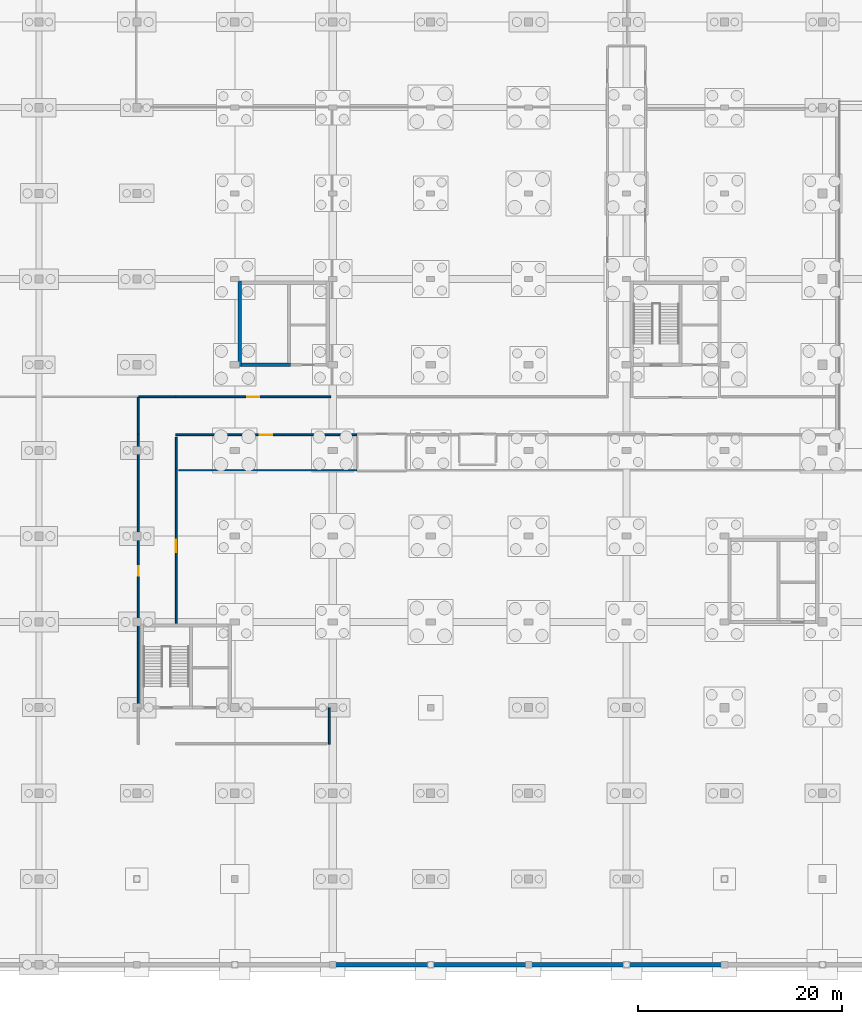
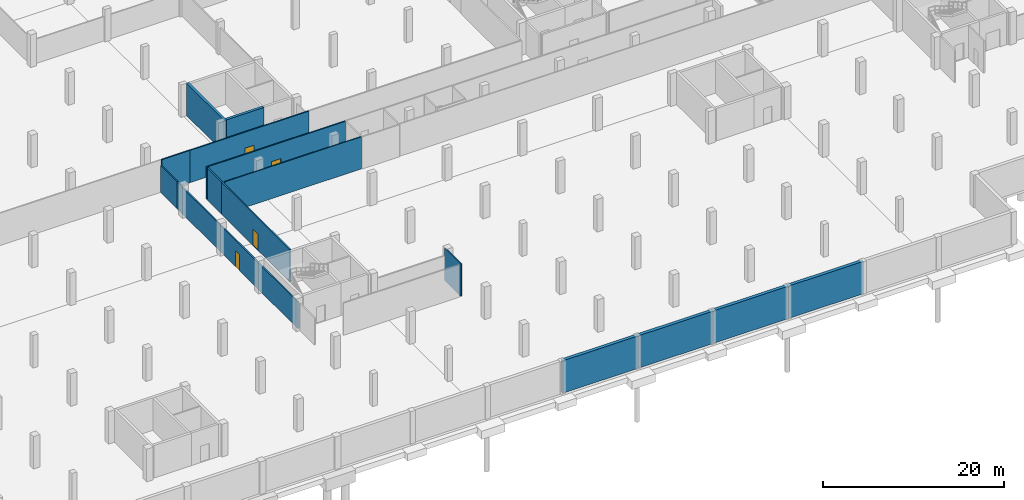
# One storey, part 18 of 26: 15 walls, 4 doors, 4 openings.
"""IFC4 building model written with IfcOpenShell, lengths in metres."""

from ifc_helpers import new_model, si_unit, direction, frame, frame_2d, origin, place, context, subcontext, project, spatial, rectangle, extrude, material, layer, layer_set, type_object, element, fill, save


model = new_model("IFC4")

# Units and contexts
model_context = context("Model", 3, precision=1e-05, world=origin(), true_north=direction((0.0, 1.0)))
body_context = subcontext(model_context, "Body", "Model", "MODEL_VIEW")
ifc_project = project(units=[si_unit("LENGTHUNIT", "METRE"), si_unit("AREAUNIT", "SQUARE_METRE"), si_unit("VOLUMEUNIT", "CUBIC_METRE"), si_unit("PLANEANGLEUNIT", "RADIAN"), si_unit("MASSUNIT", "GRAM", prefix="KILO")], contexts=[model_context])

# Site, building, storey
site_placement = place(None, origin())
site = spatial("IfcSite", under=ifc_project, at=site_placement, CompositionType="ELEMENT")
building_placement = place(site_placement, origin())
building = spatial("IfcBuilding", under=site, at=building_placement, Name="Lornevale Opera House", CompositionType="ELEMENT")
storey_placement = place(building_placement, frame((0.0, 0.0, -9.60009765625)))
storey = spatial("IfcBuildingStorey", under=building, at=storey_placement, Name="B2", CompositionType="ELEMENT", Elevation=-9.60009765625)

# Walls
ifc_material_1 = material(Name="Concrete 40 MPa (CSA A23.1 C-1)", Category="concrete")
ifc_layer_1 = layer(ifc_material_1, 0.419921875)
ifc_layer_set_1 = layer_set([ifc_layer_1], Name="Concrete 40 MPa (CSA A23.1 C-1)")
wall_type_1 = type_object("IfcWallType", Name="Basement Retaining Wall 420", PredefinedType="USERDEFINED", material=ifc_layer_set_1)
wall_1_placement = place(storey_placement, frame((76.800048828125, 0.0, 0.0), z_axis=(0.0, 0.0, 1.0), x_axis=(-1.0, 0.0, 0.0)))
element("IfcWall", 1, at=wall_1_placement, inside=storey, type_object=wall_type_1, Name="Basement Escarpment Plinth Wall WL-EXT-0029", ObjectType="RETAINING WALL", PredefinedType="USERDEFINED", context=body_context, shape_type="SweptSolid", body=[
    extrude(rectangle(XDim=9.60009765625, YDim=0.419921875, at=frame_2d((4.800048828125, 0.0))), origin(), (0.0, 0.0, 1.0), 4.380126953125),
])
wall_2_placement = place(storey_placement, frame((86.39990234375, 0.0, 0.0), z_axis=(0.0, 0.0, 1.0), x_axis=(-1.0, 0.0, 0.0)))
element("IfcWall", 2, at=wall_2_placement, inside=storey, type_object=wall_type_1, Name="Basement Escarpment Plinth Wall WL-EXT-0031", ObjectType="RETAINING WALL", PredefinedType="USERDEFINED", context=body_context, shape_type="SweptSolid", body=[
    extrude(rectangle(XDim=9.599853515625, YDim=0.419921875, at=frame_2d((4.7998046875, 0.0))), origin(), (0.0, 0.0, 1.0), 4.380126953125),
])
for number, where, z_axis, x_axis, name in (
    (3, (96.0, 0.0, 0.0), (0.0, 0.0, 1.0), (-1.0, 0.0, 0.0), "Basement Escarpment Plinth Wall WL-EXT-0033"),
    (4, (105.60009765625, 0.0, 0.0), (0.0, 0.0, 1.0), (-1.0, 0.0, 0.0), "Basement Escarpment Plinth Wall WL-EXT-0035"),
):
    element("IfcWall", number, at=place(storey_placement, frame(where, z_axis=z_axis, x_axis=x_axis)), inside=storey, type_object=wall_type_1, Name=name, ObjectType="RETAINING WALL", PredefinedType="USERDEFINED", context=body_context, shape_type="SweptSolid", body=[
        extrude(rectangle(XDim=9.60009765625, YDim=0.419921875, at=frame_2d((4.800048828125, 0.0))), origin(), (0.0, 0.0, 1.0), 4.380126953125),
    ])
ifc_layer_2 = layer(ifc_material_1, 0.320068359375)
ifc_layer_set_2 = layer_set([ifc_layer_2], Name="Concrete 40 MPa (CSA A23.1 C-1)")
wall_type_2 = type_object("IfcWallType", Name="Core Shear Wall 320", PredefinedType="SHEAR", material=ifc_layer_set_2)
wall_3_placement = place(storey_placement, frame((58.260009765625, 58.800048828125, 0.0), z_axis=(0.0, 0.0, 1.0), x_axis=(1.0, 0.0, 0.0)))
element("IfcWall", 5, at=wall_3_placement, inside=storey, type_object=wall_type_2, Name="Auditorium West Tier Core Core Shear Wall 320 WL-COR-0148", PredefinedType="SHEAR", context=body_context, shape_type="SweptSolid", body=[
    extrude(rectangle(XDim=4.780029296875, YDim=0.320068359375, at=frame_2d((2.39013671875, 0.0))), origin(), (0.0, 0.0, 1.0), 4.380126953125),
])
wall_4_placement = place(storey_placement, frame((58.10009765625, 67.0, 0.0), z_axis=(0.0, 0.0, 1.0), x_axis=(0.0, -1.0, 0.0)))
element("IfcWall", 6, at=wall_4_placement, inside=storey, type_object=wall_type_2, Name="Auditorium West Tier Core Core Shear Wall 320 WL-COR-0151", PredefinedType="SHEAR", context=body_context, shape_type="SweptSolid", body=[
    extrude(rectangle(XDim=8.360107421875, YDim=0.320068359375, at=frame_2d((4.18017578125, 0.0))), origin(), (0.0, 0.0, 1.0), 4.380126953125),
])

# Wall, opening, door
ifc_material_2 = material(Name="Acoustic Mineral-Core Gypsum Partition", Category="gypsum")
ifc_layer_3 = layer(ifc_material_2, 0.1650390625)
ifc_layer_set_3 = layer_set([ifc_layer_3], Name="Acoustic Mineral-Core Gypsum Partition")
wall_type_3 = type_object("IfcWallType", Name="Corridor Rated Partition 165", PredefinedType="PARTITIONING", material=ifc_layer_set_3)
wall_5_placement = place(storey_placement, frame((48.139892578125, 25.199951171875, 0.0), z_axis=(0.0, 0.0, 1.0), x_axis=(0.0, 1.0, 0.0)))
wall_5 = element("IfcWall", 7, at=wall_5_placement, inside=storey, type_object=wall_type_3, Name="B2 Partition WL-INT-0531", PredefinedType="PARTITIONING", context=body_context, shape_type="SweptSolid", body=[
    extrude(rectangle(XDim=26.800048828125, YDim=0.1650390625, at=frame_2d((13.39990234375, 0.0))), origin(), (0.0, 0.0, 1.0), 3.580078125),
])
opening_1_placement = place(wall_5_placement, frame((12.925048828125, 0.0, 0.0)))
opening_1 = element("IfcOpeningElement", 8, at=opening_1_placement, cuts=wall_5, Name="Opening DR-T20", PredefinedType="OPENING", context=body_context, shape_type="SweptSolid", body=[
    extrude(rectangle(XDim=0.949951171875, YDim=2.14990234375, at=frame_2d((0.47509765625, 1.074951171875))), frame((0.0, 0.092529296875, 0.0), z_axis=(0.0, -1.0, 0.0), x_axis=(1.0, 0.0, 0.0)), (0.0, 0.0, 1.0), 0.18505859375),
])
ifc_material_3 = material(Name="White Oak Acoustic Panelling", Category="wood")
ifc_layer_4 = layer(ifc_material_3, 2.14990234375)
ifc_layer_set_4 = layer_set([ifc_layer_4], Name="White Oak Acoustic Panelling")
door_type_1 = type_object("IfcDoorType", Name="Soloist Dressing Door R 950x2150", OperationType="NOTDEFINED", PredefinedType="DOOR", material=ifc_layer_set_4)
door_1_placement = place(opening_1_placement, origin())
door_1 = element("IfcDoor", 9, at=door_1_placement, inside=storey, type_object=door_type_1, Name="Costume & Scenic Archive Store Door", OperationType="SINGLE_SWING_RIGHT", OverallHeight=2.14990234375, OverallWidth=0.949951171875, PredefinedType="DOOR", context=body_context, shape_type="SweptSolid", body=[
    extrude(rectangle(XDim=0.949951171875, YDim=2.14990234375, at=frame_2d((0.47509765625, 1.074951171875))), frame((0.0, 0.02490234375, 0.0), z_axis=(0.0, -1.0, 0.0), x_axis=(1.0, 0.0, 0.0)), (0.0, 0.0, 1.0), 0.050048828125),
])
fill(opening_1, door_1)

# Wall
wall_6_placement = place(storey_placement, frame((48.139892578125, 52.0, 0.0), z_axis=(0.0, 0.0, 1.0), x_axis=(0.0, 1.0, 0.0)))
element("IfcWall", 10, at=wall_6_placement, inside=storey, type_object=wall_type_3, Name="B2 Partition WL-INT-0532", PredefinedType="PARTITIONING", context=body_context, shape_type="SweptSolid", body=[
    extrude(rectangle(XDim=3.60009765625, YDim=0.1650390625, at=frame_2d((1.800048828125, 0.0))), origin(), (0.0, 0.0, 1.0), 3.630126953125),
])

# Wall, opening, door
wall_7_placement = place(storey_placement, frame((51.860107421875, 33.489990234375, 0.0), z_axis=(0.0, 0.0, 1.0), x_axis=(0.0, 1.0, 0.0)))
wall_7 = element("IfcWall", 11, at=wall_7_placement, inside=storey, type_object=wall_type_3, Name="B2 Partition WL-INT-0533", PredefinedType="PARTITIONING", context=body_context, shape_type="SweptSolid", body=[
    extrude(rectangle(XDim=15.110107421875, YDim=0.1650390625, at=frame_2d((7.55517578125, 0.0))), origin(), (0.0, 0.0, 1.0), 4.35009765625),
])
opening_2_placement = place(wall_7_placement, frame((6.955078125, 0.0, 0.0)))
opening_2 = element("IfcOpeningElement", 12, at=opening_2_placement, cuts=wall_7, Name="Opening DR-T24", PredefinedType="OPENING", context=body_context, shape_type="SweptSolid", body=[
    extrude(rectangle(XDim=1.199951171875, YDim=2.199951171875, at=frame_2d((0.60009765625, 1.10009765625))), frame((0.0, 0.092529296875, 0.0), z_axis=(0.0, -1.0, 0.0), x_axis=(1.0, 0.0, 0.0)), (0.0, 0.0, 1.0), 0.18505859375),
])
ifc_material_4 = material(Name="Painted Hollow Metal Door Steel", Category="steel")
ifc_layer_5 = layer(ifc_material_4, 2.199951171875)
ifc_layer_set_5 = layer_set([ifc_layer_5], Name="Painted Hollow Metal Door Steel")
door_type_2 = type_object("IfcDoorType", Name="Plant Room Rated Door R 1200x2200", OperationType="NOTDEFINED", PredefinedType="DOOR", material=ifc_layer_set_5)
door_2_placement = place(opening_2_placement, origin())
door_2 = element("IfcDoor", 13, at=door_2_placement, inside=storey, type_object=door_type_2, Name="Visitor Basement Parking Deck Door", OperationType="SINGLE_SWING_RIGHT", OverallHeight=2.199951171875, OverallWidth=1.199951171875, PredefinedType="DOOR", context=body_context, shape_type="SweptSolid", body=[
    extrude(rectangle(XDim=1.199951171875, YDim=2.199951171875, at=frame_2d((0.60009765625, 1.10009765625))), frame((0.0, 0.02490234375, 0.0), z_axis=(0.0, -1.0, 0.0), x_axis=(1.0, 0.0, 0.0)), (0.0, 0.0, 1.0), 0.050048828125),
])
fill(opening_2, door_2)

# Walls
wall_8_placement = place(storey_placement, frame((66.860107421875, 21.60009765625, 0.0), z_axis=(0.0, 0.0, 1.0), x_axis=(0.0, 1.0, 0.0)))
element("IfcWall", 14, at=wall_8_placement, inside=storey, type_object=wall_type_3, Name="B2 Partition WL-INT-0535", PredefinedType="PARTITIONING", context=body_context, shape_type="SweptSolid", body=[
    extrude(rectangle(XDim=3.599853515625, YDim=0.1650390625, at=frame_2d((1.7998046875, 0.0))), origin(), (0.0, 0.0, 1.0), 4.35009765625),
])
wall_9_placement = place(storey_placement, frame((48.199951171875, 55.659912109375, 0.0), z_axis=(0.0, 0.0, 1.0), x_axis=(1.0, 0.0, 0.0)))
element("IfcWall", 15, at=wall_9_placement, inside=storey, type_object=wall_type_3, Name="B2 Partition WL-INT-0537", PredefinedType="PARTITIONING", context=body_context, shape_type="SweptSolid", body=[
    extrude(rectangle(XDim=3.60009765625, YDim=0.1650390625, at=frame_2d((1.800048828125, 0.0))), origin(), (0.0, 0.0, 1.0), 4.35009765625),
])

# Wall, opening, door
wall_10_placement = place(storey_placement, frame((51.800048828125, 55.659912109375, 0.0), z_axis=(0.0, 0.0, 1.0), x_axis=(1.0, 0.0, 0.0)))
wall_10 = element("IfcWall", 16, at=wall_10_placement, inside=storey, type_object=wall_type_3, Name="B2 Partition WL-INT-0538", PredefinedType="PARTITIONING", context=body_context, shape_type="SweptSolid", body=[
    extrude(rectangle(XDim=15.199951171875, YDim=0.1650390625, at=frame_2d((7.60009765625, 0.0))), origin(), (0.0, 0.0, 1.0), 4.35009765625),
])
opening_3_placement = place(wall_10_placement, frame((7.0, 0.0, 0.0)))
opening_3 = element("IfcOpeningElement", 17, at=opening_3_placement, cuts=wall_10, Name="Opening DR-T24", PredefinedType="OPENING", context=body_context, shape_type="SweptSolid", body=[
    extrude(rectangle(XDim=1.199951171875, YDim=2.199951171875, at=frame_2d((0.60009765625, 1.10009765625))), frame((0.0, 0.092529296875, 0.0), z_axis=(0.0, -1.0, 0.0), x_axis=(1.0, 0.0, 0.0)), (0.0, 0.0, 1.0), 0.18505859375),
])
door_3_placement = place(opening_3_placement, origin())
door_3 = element("IfcDoor", 18, at=door_3_placement, inside=storey, type_object=door_type_2, Name="Mechanical Acoustic Plenum Plant Door", OperationType="SINGLE_SWING_RIGHT", OverallHeight=2.199951171875, OverallWidth=1.199951171875, PredefinedType="DOOR", context=body_context, shape_type="SweptSolid", body=[
    extrude(rectangle(XDim=1.199951171875, YDim=2.199951171875, at=frame_2d((0.60009765625, 1.10009765625))), frame((0.0, 0.02490234375, 0.0), z_axis=(0.0, -1.0, 0.0), x_axis=(1.0, 0.0, 0.0)), (0.0, 0.0, 1.0), 0.050048828125),
])
fill(opening_3, door_3)

wall_11_placement = place(storey_placement, frame((51.800048828125, 51.93994140625, 0.0), z_axis=(0.0, 0.0, 1.0), x_axis=(1.0, 0.0, 0.0)))
wall_11 = element("IfcWall", 19, at=wall_11_placement, inside=storey, type_object=wall_type_3, Name="B2 Partition WL-INT-0543", PredefinedType="PARTITIONING", context=body_context, shape_type="SweptSolid", body=[
    extrude(rectangle(XDim=17.739990234375, YDim=0.1650390625, at=frame_2d((8.8701171875, 0.0))), origin(), (0.0, 0.0, 1.0), 4.35009765625),
])
opening_4_placement = place(wall_11_placement, frame((8.27001953125, 0.0, 0.0)))
opening_4 = element("IfcOpeningElement", 20, at=opening_4_placement, cuts=wall_11, Name="Opening DR-T24", PredefinedType="OPENING", context=body_context, shape_type="SweptSolid", body=[
    extrude(rectangle(XDim=1.199951171875, YDim=2.199951171875, at=frame_2d((0.60009765625, 1.10009765625))), frame((0.0, 0.092529296875, 0.0), z_axis=(0.0, -1.0, 0.0), x_axis=(1.0, 0.0, 0.0)), (0.0, 0.0, 1.0), 0.18505859375),
])
door_4_placement = place(opening_4_placement, origin())
door_4 = element("IfcDoor", 21, at=door_4_placement, inside=storey, type_object=door_type_2, Name="Mechanical Acoustic Plenum Plant Door", OperationType="SINGLE_SWING_RIGHT", OverallHeight=2.199951171875, OverallWidth=1.199951171875, PredefinedType="DOOR", context=body_context, shape_type="SweptSolid", body=[
    extrude(rectangle(XDim=1.199951171875, YDim=2.199951171875, at=frame_2d((0.60009765625, 1.10009765625))), frame((0.0, 0.02490234375, 0.0), z_axis=(0.0, -1.0, 0.0), x_axis=(1.0, 0.0, 0.0)), (0.0, 0.0, 1.0), 0.050048828125),
])
fill(opening_4, door_4)

# Walls
wall_12_placement = place(storey_placement, frame((51.860107421875, 48.60009765625, 0.0), z_axis=(0.0, 0.0, 1.0), x_axis=(0.0, 1.0, 0.0)))
element("IfcWall", 22, at=wall_12_placement, inside=storey, type_object=wall_type_3, Name="B2 Partition WL-INT-0544", PredefinedType="PARTITIONING", context=body_context, shape_type="SweptSolid", body=[
    extrude(rectangle(XDim=3.08984375, YDim=0.1650390625, at=frame_2d((1.544921875, 0.0))), origin(), (0.0, 0.0, 1.0), 4.35009765625),
])
ifc_layer_6 = layer(ifc_material_2, 0.125)
ifc_layer_set_6 = layer_set([ifc_layer_6], Name="Acoustic Mineral-Core Gypsum Partition")
wall_type_4 = type_object("IfcWallType", Name="Dressing Suite Partition 125", PredefinedType="PARTITIONING", material=ifc_layer_set_6)
wall_13_placement = place(storey_placement, frame((52.110107421875, 48.4599609375, 0.0), z_axis=(0.0, 0.0, 1.0), x_axis=(1.0, 0.0, 0.0)))
element("IfcWall", 23, at=wall_13_placement, inside=storey, type_object=wall_type_4, Name="B2 Partition WL-INT-0571", PredefinedType="PARTITIONING", context=body_context, shape_type="SweptSolid", body=[
    extrude(rectangle(XDim=17.429931640625, YDim=0.125, at=frame_2d((8.71484375, 0.0))), origin(), (0.0, 0.0, 1.0), 4.35009765625),
])

save(model, "model.ifc")
